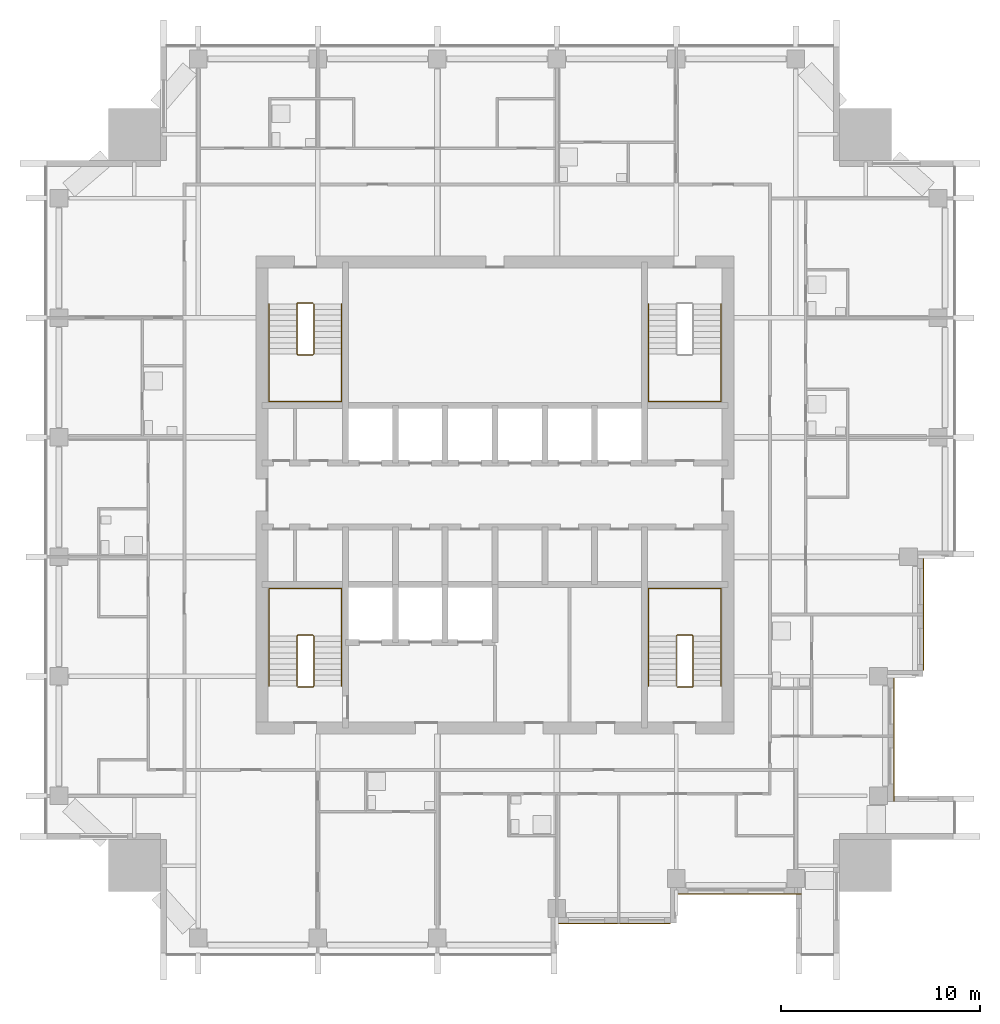
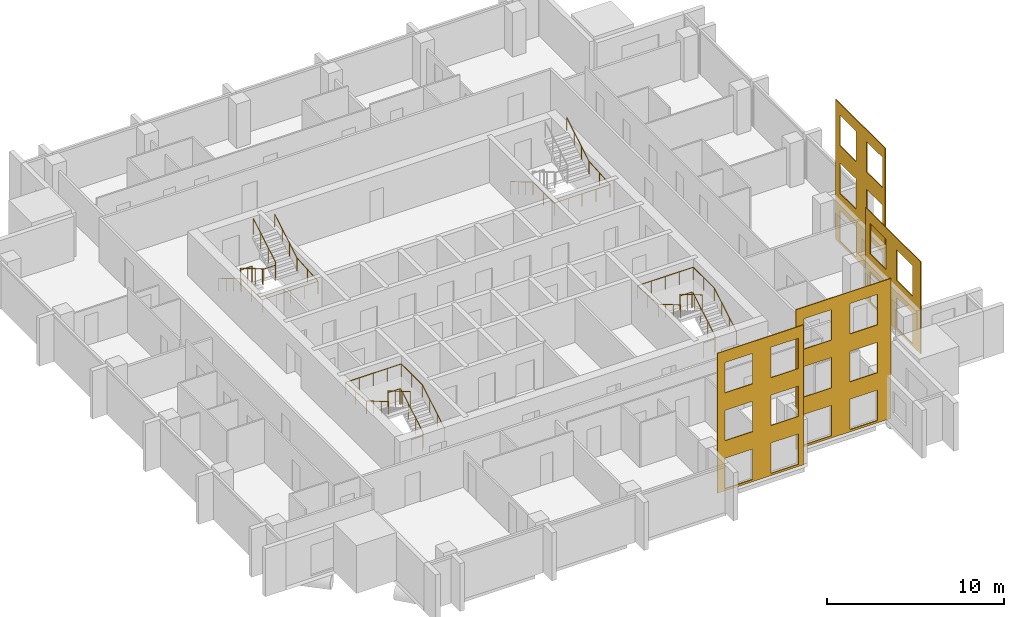
# One storey, part 10 of 12: 7 railings, 4 coverings.
"""IFC4 building model written with IfcOpenShell, lengths in metres."""

from ifc_helpers import new_model, si_unit, direction, frame, origin, origin_2d, place, context, subcontext, project, spatial, polyline, circle, outline, extrude, material, layer, layer_set, type_object, element, save


model = new_model("IFC4")

# Units and contexts
model_context = context("Model", 3, precision=1e-05, world=origin(), true_north=direction((0.0, 1.0)))
body_context = subcontext(model_context, "Body", "Model", "MODEL_VIEW")
ifc_project = project(units=[si_unit("LENGTHUNIT", "METRE"), si_unit("AREAUNIT", "SQUARE_METRE"), si_unit("VOLUMEUNIT", "CUBIC_METRE"), si_unit("PLANEANGLEUNIT", "RADIAN"), si_unit("MASSUNIT", "GRAM", prefix="KILO")], contexts=[model_context])

# Site, building, storey
site_placement = place(None, origin())
site = spatial("IfcSite", under=ifc_project, at=site_placement, CompositionType="ELEMENT")
building_placement = place(site_placement, origin())
building = spatial("IfcBuilding", under=site, at=building_placement, Name="Amberfall Residences", CompositionType="ELEMENT")
storey_placement = place(building_placement, frame((0.0, 0.0, 187.0)))
storey = spatial("IfcBuildingStorey", under=building, at=storey_placement, Name="L49", CompositionType="ELEMENT", Elevation=187.0)

# Coverings
ifc_material_1 = material(Name="Pale limestone cladding", Category="masonry")
ifc_layer = layer(ifc_material_1, 0.050048828125)
ifc_layer_set = layer_set([ifc_layer], Name="Limestone fascia 50")
covering_type = type_object("IfcCoveringType", Name="Limestone fascia 50", PredefinedType="CLADDING", material=ifc_layer_set)
covering_1_placement = place(storey_placement, frame((77.68994140625, 24.0, 9.64990234375), z_axis=(0.0, 1.0, 0.0), x_axis=(1.0, 0.0, 0.0)))
element("IfcCovering", 1, at=covering_1_placement, inside=storey, type_object=covering_type, Name="Pale limestone cladding L49-L51 S", PredefinedType="CLADDING", context=body_context, shape_type="SweptSolid", body=[
    extrude(outline(polyline([(0.0, 0.0), (5.610107421875, 0.0), (5.610107421875, 9.64990234375), (0.0, 9.64990234375), (0.0, 0.0)]), holes=[polyline([(0.510009765625, 7.39990234375), (2.31005859375, 7.39990234375), (2.31005859375, 9.5), (0.510009765625, 9.5), (0.510009765625, 7.39990234375)]), polyline([(3.510009765625, 7.39990234375), (5.31005859375, 7.39990234375), (5.31005859375, 9.5), (3.510009765625, 9.5), (3.510009765625, 7.39990234375)]), polyline([(0.510009765625, 4.099853515625), (2.31005859375, 4.099853515625), (2.31005859375, 6.199951171875), (0.510009765625, 6.199951171875), (0.510009765625, 4.099853515625)]), polyline([(3.510009765625, 4.099853515625), (5.31005859375, 4.099853515625), (5.31005859375, 6.199951171875), (3.510009765625, 6.199951171875), (3.510009765625, 4.099853515625)]), polyline([(0.510009765625, 0.7998046875), (2.31005859375, 0.7998046875), (2.31005859375, 2.89990234375), (0.510009765625, 2.89990234375), (0.510009765625, 0.7998046875)]), polyline([(3.510009765625, 0.7998046875), (5.31005859375, 0.7998046875), (5.31005859375, 2.89990234375), (3.510009765625, 2.89990234375), (3.510009765625, 0.7998046875)])]), origin(), (0.0, 0.0, -1.0), 0.050048828125),
])
covering_2_placement = place(storey_placement, frame((83.68994140625, 25.5, 9.64990234375), z_axis=(0.0, 1.0, 0.0), x_axis=(1.0, 0.0, 0.0)))
element("IfcCovering", 2, at=covering_2_placement, inside=storey, type_object=covering_type, Name="Pale limestone cladding L49-L51 S", PredefinedType="CLADDING", context=body_context, shape_type="SweptSolid", body=[
    extrude(outline(polyline([(0.0, 0.0), (6.2099609375, 0.0), (6.2099609375, 9.64990234375), (0.0, 9.64990234375), (0.0, 0.0)]), holes=[polyline([(0.510009765625, 7.39990234375), (2.31005859375, 7.39990234375), (2.31005859375, 9.5), (0.510009765625, 9.5), (0.510009765625, 7.39990234375)]), polyline([(3.510009765625, 7.39990234375), (5.31005859375, 7.39990234375), (5.31005859375, 9.5), (3.510009765625, 9.5), (3.510009765625, 7.39990234375)]), polyline([(0.510009765625, 4.099853515625), (2.31005859375, 4.099853515625), (2.31005859375, 6.199951171875), (0.510009765625, 6.199951171875), (0.510009765625, 4.099853515625)]), polyline([(3.510009765625, 4.099853515625), (5.31005859375, 4.099853515625), (5.31005859375, 6.199951171875), (3.510009765625, 6.199951171875), (3.510009765625, 4.099853515625)]), polyline([(0.510009765625, 0.7998046875), (2.31005859375, 0.7998046875), (2.31005859375, 2.89990234375), (0.510009765625, 2.89990234375), (0.510009765625, 0.7998046875)]), polyline([(3.510009765625, 0.7998046875), (5.31005859375, 0.7998046875), (5.31005859375, 2.89990234375), (3.510009765625, 2.89990234375), (3.510009765625, 0.7998046875)])]), origin(), (0.0, 0.0, -1.0), 0.050048828125),
])
covering_3_placement = place(storey_placement, frame((94.5, 30.10009765625, 6.35009765625), z_axis=(-1.0, 0.0, 0.0), x_axis=(0.0, 1.0, 0.0)))
element("IfcCovering", 3, at=covering_3_placement, inside=storey, type_object=covering_type, Name="Pale limestone cladding L49-L50 E", PredefinedType="CLADDING", context=body_context, shape_type="SweptSolid", body=[
    extrude(outline(polyline([(0.0, 0.0), (6.2099609375, 0.0), (6.2099609375, 6.35009765625), (0.0, 6.35009765625), (0.0, 0.0)]), holes=[polyline([(0.89990234375, 4.10009765625), (2.699951171875, 4.10009765625), (2.699951171875, 6.2001953125), (0.89990234375, 6.2001953125), (0.89990234375, 4.10009765625)]), polyline([(3.89990234375, 4.10009765625), (5.699951171875, 4.10009765625), (5.699951171875, 6.2001953125), (3.89990234375, 6.2001953125), (3.89990234375, 4.10009765625)]), polyline([(0.89990234375, 0.800048828125), (2.699951171875, 0.800048828125), (2.699951171875, 2.900146484375), (0.89990234375, 2.900146484375), (0.89990234375, 0.800048828125)]), polyline([(3.89990234375, 0.800048828125), (5.699951171875, 0.800048828125), (5.699951171875, 2.900146484375), (3.89990234375, 2.900146484375), (3.89990234375, 0.800048828125)])]), origin(), (0.0, 0.0, -1.0), 0.050048828125),
])
covering_4_placement = place(storey_placement, frame((96.0, 36.699951171875, 9.64990234375), z_axis=(-1.0, 0.0, 0.0), x_axis=(0.0, 1.0, 0.0)))
element("IfcCovering", 4, at=covering_4_placement, inside=storey, type_object=covering_type, Name="Pale limestone cladding L49-L51 E", PredefinedType="CLADDING", context=body_context, shape_type="SweptSolid", body=[
    extrude(outline(polyline([(0.0, 0.0), (5.610107421875, 0.0), (5.610107421875, 9.64990234375), (0.0, 9.64990234375), (0.0, 0.0)]), holes=[polyline([(0.300048828125, 7.39990234375), (2.10009765625, 7.39990234375), (2.10009765625, 9.5), (0.300048828125, 9.5), (0.300048828125, 7.39990234375)]), polyline([(3.300048828125, 7.39990234375), (5.10009765625, 7.39990234375), (5.10009765625, 9.5), (3.300048828125, 9.5), (3.300048828125, 7.39990234375)]), polyline([(0.300048828125, 4.099853515625), (2.10009765625, 4.099853515625), (2.10009765625, 6.199951171875), (0.300048828125, 6.199951171875), (0.300048828125, 4.099853515625)]), polyline([(3.300048828125, 4.099853515625), (5.10009765625, 4.099853515625), (5.10009765625, 6.199951171875), (3.300048828125, 6.199951171875), (3.300048828125, 4.099853515625)]), polyline([(0.300048828125, 0.7998046875), (2.10009765625, 0.7998046875), (2.10009765625, 2.89990234375), (0.300048828125, 2.89990234375), (0.300048828125, 0.7998046875)]), polyline([(3.300048828125, 0.7998046875), (5.10009765625, 0.7998046875), (5.10009765625, 2.89990234375), (3.300048828125, 2.89990234375), (3.300048828125, 0.7998046875)])]), origin(), (0.0, 0.0, -1.0), 0.050048828125),
])

# Railings
ifc_material_2 = material(Name="Stainless steel 316", Category="steel")
railing_type_1 = type_object("IfcRailingType", Name="Stair guard 1100", PredefinedType="GUARDRAIL", material=ifc_material_2)
railing_1_placement = place(storey_placement, frame((64.60009765625, 35.85009765625, 0.0)))
element("IfcRailing", 5, at=railing_1_placement, inside=storey, type_object=railing_type_1, Name="L49 stair 1 guard", PredefinedType="GUARDRAIL", context=body_context, shape_type="SweptSolid", body=[
    extrude(circle(Radius=0.02392578125, at=origin_2d()), frame((0.0, 0.0, 1.076171875), z_axis=(1.0, 0.0, 0.0), x_axis=(0.0, 1.0, 0.0)), (0.0, 0.0, 1.0), 0.75),
    extrude(circle(Radius=0.02392578125, at=origin_2d()), frame((0.75, 0.0, 1.076171875), z_axis=(0.27755538755, 0.27755538755, 0.919742362667), x_axis=(-0.707106781187, 0.707106781187, 0.0)), (0.0, 0.0, 1.0), 0.179443359375),
    extrude(circle(Radius=0.02392578125, at=origin_2d()), frame((0.7998046875, 0.0498046875, 1.2412109375), z_axis=(0.0, 0.861560626758, 0.507654692109), x_axis=(-1.0, 0.0, 0.0)), (0.0, 0.0, 1.0), 2.925048828125),
    extrude(circle(Radius=0.02392578125, at=origin_2d()), frame((0.7998046875, 2.56982421875, 2.72607421875), z_axis=(-0.705375805398, 0.708833529934, 0.0), x_axis=(-0.708833529934, -0.705375805398, 0.0)), (0.0, 0.0, 1.0), 0.070556640625),
    extrude(circle(Radius=0.02392578125, at=origin_2d()), frame((0.75, 2.619873046875, 2.72607421875), z_axis=(-1.0, 0.0, 0.0), x_axis=(0.0, -1.0, 0.0)), (0.0, 0.0, 1.0), 0.75),
    extrude(circle(Radius=0.02392578125, at=origin_2d()), frame((0.0, 2.619873046875, 2.72607421875), z_axis=(-0.278705021027, -0.278705021027, 0.919046801044), x_axis=(0.707106781187, -0.707106781187, 0.0)), (0.0, 0.0, 1.0), 0.1796875),
    extrude(circle(Radius=0.02392578125, at=origin_2d()), frame((-0.050048828125, 2.56982421875, 2.89111328125), z_axis=(0.0, -0.86152411907, 0.507716645641), x_axis=(1.0, 0.0, 0.0)), (0.0, 0.0, 1.0), 2.925048828125),
    extrude(circle(Radius=0.02099609375, at=origin_2d()), origin(), (0.0, 0.0, 1.0), 1.052001953125),
    extrude(circle(Radius=0.02099609375, at=origin_2d()), frame((0.75, 0.0, 0.0)), (0.0, 0.0, 1.0), 1.052001953125),
    extrude(circle(Radius=0.02099609375, at=origin_2d()), frame((0.7998046875, 0.0498046875, 0.1650390625)), (0.0, 0.0, 1.0), 1.052001953125),
    extrude(circle(Radius=0.02099609375, at=origin_2d()), frame((0.7998046875, 0.889892578125, 0.659912109375)), (0.0, 0.0, 1.0), 1.052001953125),
    extrude(circle(Radius=0.02099609375, at=origin_2d()), frame((0.7998046875, 1.729736328125, 1.155029296875)), (0.0, 0.0, 1.0), 1.052001953125),
    extrude(circle(Radius=0.02099609375, at=origin_2d()), frame((0.7998046875, 2.56982421875, 1.64990234375)), (0.0, 0.0, 1.0), 1.052001953125),
    extrude(circle(Radius=0.02099609375, at=origin_2d()), frame((0.75, 2.619873046875, 1.64990234375)), (0.0, 0.0, 1.0), 1.052001953125),
    extrude(circle(Radius=0.02099609375, at=origin_2d()), frame((0.0, 2.619873046875, 1.64990234375)), (0.0, 0.0, 1.0), 1.052001953125),
    extrude(circle(Radius=0.02099609375, at=origin_2d()), frame((-0.050048828125, 2.56982421875, 1.81494140625)), (0.0, 0.0, 1.0), 1.052001953125),
    extrude(circle(Radius=0.02099609375, at=origin_2d()), frame((-0.050048828125, 1.729736328125, 2.31005859375)), (0.0, 0.0, 1.0), 1.052001953125),
    extrude(circle(Radius=0.02099609375, at=origin_2d()), frame((-0.050048828125, 0.889892578125, 2.804931640625)), (0.0, 0.0, 1.0), 1.052001953125),
    extrude(circle(Radius=0.02099609375, at=origin_2d()), frame((-0.050048828125, 0.0498046875, 3.300048828125)), (0.0, 0.0, 1.0), 1.052001953125),
])
railing_2_placement = place(storey_placement, frame((83.64990234375, 35.85009765625, 0.0)))
element("IfcRailing", 6, at=railing_2_placement, inside=storey, type_object=railing_type_1, Name="L49 stair 2 guard", PredefinedType="GUARDRAIL", context=body_context, shape_type="SweptSolid", body=[
    extrude(circle(Radius=0.02392578125, at=origin_2d()), frame((0.0, 0.0, 1.076171875), z_axis=(1.0, 0.0, 0.0), x_axis=(0.0, 1.0, 0.0)), (0.0, 0.0, 1.0), 0.75),
    extrude(circle(Radius=0.02392578125, at=origin_2d()), frame((0.75, 0.0, 1.076171875), z_axis=(0.278810427259, 0.277450376394, 0.919394384522), x_axis=(-0.705375805398, 0.708833529934, 0.0)), (0.0, 0.0, 1.0), 0.179443359375),
    extrude(circle(Radius=0.02392578125, at=origin_2d()), frame((0.800048828125, 0.0498046875, 1.2412109375), z_axis=(0.0, 0.861560626758, 0.507654692109), x_axis=(-1.0, 0.0, 0.0)), (0.0, 0.0, 1.0), 2.925048828125),
    extrude(circle(Radius=0.02392578125, at=origin_2d()), frame((0.800048828125, 2.56982421875, 2.72607421875), z_axis=(-0.707106781187, 0.707106781187, 0.0), x_axis=(-0.707106781187, -0.707106781187, 0.0)), (0.0, 0.0, 1.0), 0.07080078125),
    extrude(circle(Radius=0.02392578125, at=origin_2d()), frame((0.75, 2.619873046875, 2.72607421875), z_axis=(-1.0, 0.0, 0.0), x_axis=(0.0, -1.0, 0.0)), (0.0, 0.0, 1.0), 0.75),
    extrude(circle(Radius=0.02392578125, at=origin_2d()), frame((0.0, 2.619873046875, 2.72607421875), z_axis=(-0.277450376394, -0.278810427259, 0.919394384522), x_axis=(0.708833529934, -0.705375805398, 0.0)), (0.0, 0.0, 1.0), 0.179443359375),
    extrude(circle(Radius=0.02392578125, at=origin_2d()), frame((-0.0498046875, 2.56982421875, 2.89111328125), z_axis=(0.0, -0.86152411907, 0.507716645641), x_axis=(1.0, 0.0, 0.0)), (0.0, 0.0, 1.0), 2.925048828125),
    extrude(circle(Radius=0.02099609375, at=origin_2d()), origin(), (0.0, 0.0, 1.0), 1.052001953125),
    extrude(circle(Radius=0.02099609375, at=origin_2d()), frame((0.75, 0.0, 0.0)), (0.0, 0.0, 1.0), 1.052001953125),
    extrude(circle(Radius=0.02099609375, at=origin_2d()), frame((0.800048828125, 0.0498046875, 0.1650390625)), (0.0, 0.0, 1.0), 1.052001953125),
    extrude(circle(Radius=0.02099609375, at=origin_2d()), frame((0.800048828125, 0.889892578125, 0.659912109375)), (0.0, 0.0, 1.0), 1.052001953125),
    extrude(circle(Radius=0.02099609375, at=origin_2d()), frame((0.800048828125, 1.729736328125, 1.155029296875)), (0.0, 0.0, 1.0), 1.052001953125),
    extrude(circle(Radius=0.02099609375, at=origin_2d()), frame((0.800048828125, 2.56982421875, 1.64990234375)), (0.0, 0.0, 1.0), 1.052001953125),
    extrude(circle(Radius=0.02099609375, at=origin_2d()), frame((0.75, 2.619873046875, 1.64990234375)), (0.0, 0.0, 1.0), 1.052001953125),
    extrude(circle(Radius=0.02099609375, at=origin_2d()), frame((0.0, 2.619873046875, 1.64990234375)), (0.0, 0.0, 1.0), 1.052001953125),
    extrude(circle(Radius=0.02099609375, at=origin_2d()), frame((-0.0498046875, 2.56982421875, 1.81494140625)), (0.0, 0.0, 1.0), 1.052001953125),
    extrude(circle(Radius=0.02099609375, at=origin_2d()), frame((-0.0498046875, 1.729736328125, 2.31005859375)), (0.0, 0.0, 1.0), 1.052001953125),
    extrude(circle(Radius=0.02099609375, at=origin_2d()), frame((-0.0498046875, 0.889892578125, 2.804931640625)), (0.0, 0.0, 1.0), 1.052001953125),
    extrude(circle(Radius=0.02099609375, at=origin_2d()), frame((-0.0498046875, 0.0498046875, 3.300048828125)), (0.0, 0.0, 1.0), 1.052001953125),
])
railing_3_placement = place(storey_placement, frame((65.35009765625, 55.14990234375, 0.0)))
element("IfcRailing", 7, at=railing_3_placement, inside=storey, type_object=railing_type_1, Name="L49 stair 4 guard", PredefinedType="GUARDRAIL", context=body_context, shape_type="SweptSolid", body=[
    extrude(circle(Radius=0.02392578125, at=origin_2d()), frame((0.0, 0.0, 1.076171875), z_axis=(-1.0, 0.0, 0.0), x_axis=(0.0, -1.0, 0.0)), (0.0, 0.0, 1.0), 0.75),
    extrude(circle(Radius=0.02392578125, at=origin_2d()), frame((-0.75, 0.0, 1.076171875), z_axis=(-0.278810427259, -0.277450376394, 0.919394384522), x_axis=(0.705375805398, -0.708833529934, 0.0)), (0.0, 0.0, 1.0), 0.179443359375),
    extrude(circle(Radius=0.02392578125, at=origin_2d()), frame((-0.800048828125, -0.0498046875, 1.2412109375), z_axis=(0.0, -0.861560626758, 0.507654692109), x_axis=(1.0, 0.0, 0.0)), (0.0, 0.0, 1.0), 2.925048828125),
    extrude(circle(Radius=0.02392578125, at=origin_2d()), frame((-0.800048828125, -2.56982421875, 2.72607421875), z_axis=(0.707106781187, -0.707106781187, 0.0), x_axis=(0.707106781187, 0.707106781187, 0.0)), (0.0, 0.0, 1.0), 0.07080078125),
    extrude(circle(Radius=0.02392578125, at=origin_2d()), frame((-0.75, -2.619873046875, 2.72607421875), z_axis=(1.0, 0.0, 0.0), x_axis=(0.0, 1.0, 0.0)), (0.0, 0.0, 1.0), 0.75),
    extrude(circle(Radius=0.02392578125, at=origin_2d()), frame((0.0, -2.619873046875, 2.72607421875), z_axis=(0.277450376394, 0.278810427259, 0.919394384522), x_axis=(-0.708833529934, 0.705375805398, 0.0)), (0.0, 0.0, 1.0), 0.179443359375),
    extrude(circle(Radius=0.02392578125, at=origin_2d()), frame((0.0498046875, -2.56982421875, 2.89111328125), z_axis=(0.0, 0.86152411907, 0.507716645641), x_axis=(-1.0, 0.0, 0.0)), (0.0, 0.0, 1.0), 2.925048828125),
    extrude(circle(Radius=0.02099609375, at=origin_2d()), origin(), (0.0, 0.0, 1.0), 1.052001953125),
    extrude(circle(Radius=0.02099609375, at=origin_2d()), frame((-0.75, 0.0, 0.0)), (0.0, 0.0, 1.0), 1.052001953125),
    extrude(circle(Radius=0.02099609375, at=origin_2d()), frame((-0.800048828125, -0.0498046875, 0.1650390625)), (0.0, 0.0, 1.0), 1.052001953125),
    extrude(circle(Radius=0.02099609375, at=origin_2d()), frame((-0.800048828125, -0.889892578125, 0.659912109375)), (0.0, 0.0, 1.0), 1.052001953125),
    extrude(circle(Radius=0.02099609375, at=origin_2d()), frame((-0.800048828125, -1.729736328125, 1.155029296875)), (0.0, 0.0, 1.0), 1.052001953125),
    extrude(circle(Radius=0.02099609375, at=origin_2d()), frame((-0.800048828125, -2.56982421875, 1.64990234375)), (0.0, 0.0, 1.0), 1.052001953125),
    extrude(circle(Radius=0.02099609375, at=origin_2d()), frame((-0.75, -2.619873046875, 1.64990234375)), (0.0, 0.0, 1.0), 1.052001953125),
    extrude(circle(Radius=0.02099609375, at=origin_2d()), frame((0.0, -2.619873046875, 1.64990234375)), (0.0, 0.0, 1.0), 1.052001953125),
    extrude(circle(Radius=0.02099609375, at=origin_2d()), frame((0.0498046875, -2.56982421875, 1.81494140625)), (0.0, 0.0, 1.0), 1.052001953125),
    extrude(circle(Radius=0.02099609375, at=origin_2d()), frame((0.0498046875, -1.729736328125, 2.31005859375)), (0.0, 0.0, 1.0), 1.052001953125),
    extrude(circle(Radius=0.02099609375, at=origin_2d()), frame((0.0498046875, -0.889892578125, 2.804931640625)), (0.0, 0.0, 1.0), 1.052001953125),
    extrude(circle(Radius=0.02099609375, at=origin_2d()), frame((0.0498046875, -0.0498046875, 3.300048828125)), (0.0, 0.0, 1.0), 1.052001953125),
])
railing_type_2 = type_object("IfcRailingType", Name="Stair handrail 900", PredefinedType="HANDRAIL", material=ifc_material_2)
railing_4_placement = place(storey_placement, frame((66.800048828125, 35.89990234375, 0.1650390625)))
element("IfcRailing", 8, at=railing_4_placement, inside=storey, type_object=railing_type_2, Name="L49 stair 1 handrail", PredefinedType="HANDRAIL", context=body_context, shape_type="SweptSolid", body=[
    extrude(circle(Radius=0.02392578125, at=origin_2d()), frame((0.0, 0.0, 0.8759765625), z_axis=(0.0, 0.861560626758, 0.507654692109), x_axis=(-1.0, 0.0, 0.0)), (0.0, 0.0, 1.0), 2.925048828125),
    extrude(circle(Radius=0.02392578125, at=origin_2d()), frame((0.0, 2.52001953125, 2.36083984375), z_axis=(0.0, 1.0, 0.0), x_axis=(-1.0, 0.0, 0.0)), (0.0, 0.0, 1.0), 2.380126953125),
    extrude(circle(Radius=0.02392578125, at=origin_2d()), frame((0.0, 4.900146484375, 2.36083984375), z_axis=(-1.0, 0.0, 0.0), x_axis=(0.0, -1.0, 0.0)), (0.0, 0.0, 1.0), 3.650146484375),
    extrude(circle(Radius=0.02392578125, at=origin_2d()), frame((-3.650146484375, 4.900146484375, 2.36083984375), z_axis=(0.0, -0.997604585917, 0.069174346095), x_axis=(1.0, 0.0, 0.0)), (0.0, 0.0, 1.0), 2.3857421875),
    extrude(circle(Radius=0.02392578125, at=origin_2d()), frame((-3.650146484375, 2.52001953125, 2.52587890625), z_axis=(0.0, -0.86152411907, 0.507716645641), x_axis=(1.0, 0.0, 0.0)), (0.0, 0.0, 1.0), 2.925048828125),
    extrude(circle(Radius=0.02099609375, at=origin_2d()), origin(), (0.0, 0.0, 1.0), 0.851806640625),
    extrude(circle(Radius=0.02099609375, at=origin_2d()), frame((0.0, 0.840087890625, 0.494873046875)), (0.0, 0.0, 1.0), 0.851806640625),
    extrude(circle(Radius=0.02099609375, at=origin_2d()), frame((0.0, 1.679931640625, 0.989990234375)), (0.0, 0.0, 1.0), 0.851806640625),
    extrude(circle(Radius=0.02099609375, at=origin_2d()), frame((0.0, 2.52001953125, 1.48486328125)), (0.0, 0.0, 1.0), 0.851806640625),
    extrude(circle(Radius=0.02099609375, at=origin_2d()), frame((0.0, 3.7099609375, 1.48486328125)), (0.0, 0.0, 1.0), 0.851806640625),
    extrude(circle(Radius=0.02099609375, at=origin_2d()), frame((0.0, 4.900146484375, 1.48486328125)), (0.0, 0.0, 1.0), 0.851806640625),
    extrude(circle(Radius=0.02099609375, at=origin_2d()), frame((-0.91259765625, 4.900146484375, 1.48486328125)), (0.0, 0.0, 1.0), 0.851806640625),
    extrude(circle(Radius=0.02099609375, at=origin_2d()), frame((-1.8251953125, 4.900146484375, 1.48486328125)), (0.0, 0.0, 1.0), 0.851806640625),
    extrude(circle(Radius=0.02099609375, at=origin_2d()), frame((-2.737548828125, 4.900146484375, 1.48486328125)), (0.0, 0.0, 1.0), 0.851806640625),
    extrude(circle(Radius=0.02099609375, at=origin_2d()), frame((-3.650146484375, 4.900146484375, 1.48486328125)), (0.0, 0.0, 1.0), 0.851806640625),
    extrude(circle(Radius=0.02099609375, at=origin_2d()), frame((-3.650146484375, 3.7099609375, 1.5673828125)), (0.0, 0.0, 1.0), 0.851806640625),
    extrude(circle(Radius=0.02099609375, at=origin_2d()), frame((-3.650146484375, 2.52001953125, 1.64990234375)), (0.0, 0.0, 1.0), 0.851806640625),
    extrude(circle(Radius=0.02099609375, at=origin_2d()), frame((-3.650146484375, 1.679931640625, 2.14501953125)), (0.0, 0.0, 1.0), 0.851806640625),
    extrude(circle(Radius=0.02099609375, at=origin_2d()), frame((-3.650146484375, 0.840087890625, 2.639892578125)), (0.0, 0.0, 1.0), 0.851806640625),
    extrude(circle(Radius=0.02099609375, at=origin_2d()), frame((-3.650146484375, 0.0, 3.135009765625)), (0.0, 0.0, 1.0), 0.851806640625),
])
railing_5_placement = place(storey_placement, frame((85.85009765625, 35.89990234375, 0.1650390625)))
element("IfcRailing", 9, at=railing_5_placement, inside=storey, type_object=railing_type_2, Name="L49 stair 2 handrail", PredefinedType="HANDRAIL", context=body_context, shape_type="SweptSolid", body=[
    extrude(circle(Radius=0.02392578125, at=origin_2d()), frame((0.0, 0.0, 0.8759765625), z_axis=(0.0, 0.861560626758, 0.507654692109), x_axis=(-1.0, 0.0, 0.0)), (0.0, 0.0, 1.0), 2.925048828125),
    extrude(circle(Radius=0.02392578125, at=origin_2d()), frame((0.0, 2.52001953125, 2.36083984375), z_axis=(0.0, 1.0, 0.0), x_axis=(-1.0, 0.0, 0.0)), (0.0, 0.0, 1.0), 2.380126953125),
    extrude(circle(Radius=0.02392578125, at=origin_2d()), frame((0.0, 4.900146484375, 2.36083984375), z_axis=(-1.0, 0.0, 0.0), x_axis=(0.0, -1.0, 0.0)), (0.0, 0.0, 1.0), 3.650146484375),
    extrude(circle(Radius=0.02392578125, at=origin_2d()), frame((-3.650146484375, 4.900146484375, 2.36083984375), z_axis=(0.0, -0.997604585917, 0.069174346095), x_axis=(1.0, 0.0, 0.0)), (0.0, 0.0, 1.0), 2.3857421875),
    extrude(circle(Radius=0.02392578125, at=origin_2d()), frame((-3.650146484375, 2.52001953125, 2.52587890625), z_axis=(0.0, -0.86152411907, 0.507716645641), x_axis=(1.0, 0.0, 0.0)), (0.0, 0.0, 1.0), 2.925048828125),
    extrude(circle(Radius=0.02099609375, at=origin_2d()), origin(), (0.0, 0.0, 1.0), 0.851806640625),
    extrude(circle(Radius=0.02099609375, at=origin_2d()), frame((0.0, 0.840087890625, 0.494873046875)), (0.0, 0.0, 1.0), 0.851806640625),
    extrude(circle(Radius=0.02099609375, at=origin_2d()), frame((0.0, 1.679931640625, 0.989990234375)), (0.0, 0.0, 1.0), 0.851806640625),
    extrude(circle(Radius=0.02099609375, at=origin_2d()), frame((0.0, 2.52001953125, 1.48486328125)), (0.0, 0.0, 1.0), 0.851806640625),
    extrude(circle(Radius=0.02099609375, at=origin_2d()), frame((0.0, 3.7099609375, 1.48486328125)), (0.0, 0.0, 1.0), 0.851806640625),
    extrude(circle(Radius=0.02099609375, at=origin_2d()), frame((0.0, 4.900146484375, 1.48486328125)), (0.0, 0.0, 1.0), 0.851806640625),
    extrude(circle(Radius=0.02099609375, at=origin_2d()), frame((-0.91259765625, 4.900146484375, 1.48486328125)), (0.0, 0.0, 1.0), 0.851806640625),
    extrude(circle(Radius=0.02099609375, at=origin_2d()), frame((-1.8251953125, 4.900146484375, 1.48486328125)), (0.0, 0.0, 1.0), 0.851806640625),
    extrude(circle(Radius=0.02099609375, at=origin_2d()), frame((-2.737548828125, 4.900146484375, 1.48486328125)), (0.0, 0.0, 1.0), 0.851806640625),
    extrude(circle(Radius=0.02099609375, at=origin_2d()), frame((-3.650146484375, 4.900146484375, 1.48486328125)), (0.0, 0.0, 1.0), 0.851806640625),
    extrude(circle(Radius=0.02099609375, at=origin_2d()), frame((-3.650146484375, 3.7099609375, 1.5673828125)), (0.0, 0.0, 1.0), 0.851806640625),
    extrude(circle(Radius=0.02099609375, at=origin_2d()), frame((-3.650146484375, 2.52001953125, 1.64990234375)), (0.0, 0.0, 1.0), 0.851806640625),
    extrude(circle(Radius=0.02099609375, at=origin_2d()), frame((-3.650146484375, 1.679931640625, 2.14501953125)), (0.0, 0.0, 1.0), 0.851806640625),
    extrude(circle(Radius=0.02099609375, at=origin_2d()), frame((-3.650146484375, 0.840087890625, 2.639892578125)), (0.0, 0.0, 1.0), 0.851806640625),
    extrude(circle(Radius=0.02099609375, at=origin_2d()), frame((-3.650146484375, 0.0, 3.135009765625)), (0.0, 0.0, 1.0), 0.851806640625),
])
railing_6_placement = place(storey_placement, frame((82.199951171875, 55.10009765625, 0.1650390625)))
element("IfcRailing", 10, at=railing_6_placement, inside=storey, type_object=railing_type_2, Name="L49 stair 3 handrail", PredefinedType="HANDRAIL", context=body_context, shape_type="SweptSolid", body=[
    extrude(circle(Radius=0.02392578125, at=origin_2d()), frame((0.0, 0.0, 0.8759765625), z_axis=(0.0, -0.861560626758, 0.507654692109), x_axis=(1.0, 0.0, 0.0)), (0.0, 0.0, 1.0), 2.925048828125),
    extrude(circle(Radius=0.02392578125, at=origin_2d()), frame((0.0, -2.52001953125, 2.36083984375), z_axis=(0.0, -1.0, 0.0), x_axis=(1.0, 0.0, 0.0)), (0.0, 0.0, 1.0), 2.380126953125),
    extrude(circle(Radius=0.02392578125, at=origin_2d()), frame((0.0, -4.900146484375, 2.36083984375), z_axis=(1.0, 0.0, 0.0), x_axis=(0.0, 1.0, 0.0)), (0.0, 0.0, 1.0), 3.650146484375),
    extrude(circle(Radius=0.02392578125, at=origin_2d()), frame((3.650146484375, -4.900146484375, 2.36083984375), z_axis=(0.0, 0.997604585917, 0.069174346095), x_axis=(-1.0, 0.0, 0.0)), (0.0, 0.0, 1.0), 2.3857421875),
    extrude(circle(Radius=0.02392578125, at=origin_2d()), frame((3.650146484375, -2.52001953125, 2.52587890625), z_axis=(0.0, 0.86152411907, 0.507716645641), x_axis=(-1.0, 0.0, 0.0)), (0.0, 0.0, 1.0), 2.925048828125),
    extrude(circle(Radius=0.02099609375, at=origin_2d()), origin(), (0.0, 0.0, 1.0), 0.851806640625),
    extrude(circle(Radius=0.02099609375, at=origin_2d()), frame((0.0, -0.840087890625, 0.494873046875)), (0.0, 0.0, 1.0), 0.851806640625),
    extrude(circle(Radius=0.02099609375, at=origin_2d()), frame((0.0, -1.679931640625, 0.989990234375)), (0.0, 0.0, 1.0), 0.851806640625),
    extrude(circle(Radius=0.02099609375, at=origin_2d()), frame((0.0, -2.52001953125, 1.48486328125)), (0.0, 0.0, 1.0), 0.851806640625),
    extrude(circle(Radius=0.02099609375, at=origin_2d()), frame((0.0, -3.7099609375, 1.48486328125)), (0.0, 0.0, 1.0), 0.851806640625),
    extrude(circle(Radius=0.02099609375, at=origin_2d()), frame((0.0, -4.900146484375, 1.48486328125)), (0.0, 0.0, 1.0), 0.851806640625),
    extrude(circle(Radius=0.02099609375, at=origin_2d()), frame((0.91259765625, -4.900146484375, 1.48486328125)), (0.0, 0.0, 1.0), 0.851806640625),
    extrude(circle(Radius=0.02099609375, at=origin_2d()), frame((1.8251953125, -4.900146484375, 1.48486328125)), (0.0, 0.0, 1.0), 0.851806640625),
    extrude(circle(Radius=0.02099609375, at=origin_2d()), frame((2.737548828125, -4.900146484375, 1.48486328125)), (0.0, 0.0, 1.0), 0.851806640625),
    extrude(circle(Radius=0.02099609375, at=origin_2d()), frame((3.650146484375, -4.900146484375, 1.48486328125)), (0.0, 0.0, 1.0), 0.851806640625),
    extrude(circle(Radius=0.02099609375, at=origin_2d()), frame((3.650146484375, -3.7099609375, 1.5673828125)), (0.0, 0.0, 1.0), 0.851806640625),
    extrude(circle(Radius=0.02099609375, at=origin_2d()), frame((3.650146484375, -2.52001953125, 1.64990234375)), (0.0, 0.0, 1.0), 0.851806640625),
    extrude(circle(Radius=0.02099609375, at=origin_2d()), frame((3.650146484375, -1.679931640625, 2.14501953125)), (0.0, 0.0, 1.0), 0.851806640625),
    extrude(circle(Radius=0.02099609375, at=origin_2d()), frame((3.650146484375, -0.840087890625, 2.639892578125)), (0.0, 0.0, 1.0), 0.851806640625),
    extrude(circle(Radius=0.02099609375, at=origin_2d()), frame((3.650146484375, 0.0, 3.135009765625)), (0.0, 0.0, 1.0), 0.851806640625),
])
railing_7_placement = place(storey_placement, frame((63.14990234375, 55.10009765625, 0.1650390625)))
element("IfcRailing", 11, at=railing_7_placement, inside=storey, type_object=railing_type_2, Name="L49 stair 4 handrail", PredefinedType="HANDRAIL", context=body_context, shape_type="SweptSolid", body=[
    extrude(circle(Radius=0.02392578125, at=origin_2d()), frame((0.0, 0.0, 0.8759765625), z_axis=(0.0, -0.861560626758, 0.507654692109), x_axis=(1.0, 0.0, 0.0)), (0.0, 0.0, 1.0), 2.925048828125),
    extrude(circle(Radius=0.02392578125, at=origin_2d()), frame((0.0, -2.52001953125, 2.36083984375), z_axis=(0.0, -1.0, 0.0), x_axis=(1.0, 0.0, 0.0)), (0.0, 0.0, 1.0), 2.380126953125),
    extrude(circle(Radius=0.02392578125, at=origin_2d()), frame((0.0, -4.900146484375, 2.36083984375), z_axis=(1.0, 0.0, 0.0), x_axis=(0.0, 1.0, 0.0)), (0.0, 0.0, 1.0), 3.650146484375),
    extrude(circle(Radius=0.02392578125, at=origin_2d()), frame((3.650146484375, -4.900146484375, 2.36083984375), z_axis=(0.0, 0.997604585917, 0.069174346095), x_axis=(-1.0, 0.0, 0.0)), (0.0, 0.0, 1.0), 2.3857421875),
    extrude(circle(Radius=0.02392578125, at=origin_2d()), frame((3.650146484375, -2.52001953125, 2.52587890625), z_axis=(0.0, 0.86152411907, 0.507716645641), x_axis=(-1.0, 0.0, 0.0)), (0.0, 0.0, 1.0), 2.925048828125),
    extrude(circle(Radius=0.02099609375, at=origin_2d()), origin(), (0.0, 0.0, 1.0), 0.851806640625),
    extrude(circle(Radius=0.02099609375, at=origin_2d()), frame((0.0, -0.840087890625, 0.494873046875)), (0.0, 0.0, 1.0), 0.851806640625),
    extrude(circle(Radius=0.02099609375, at=origin_2d()), frame((0.0, -1.679931640625, 0.989990234375)), (0.0, 0.0, 1.0), 0.851806640625),
    extrude(circle(Radius=0.02099609375, at=origin_2d()), frame((0.0, -2.52001953125, 1.48486328125)), (0.0, 0.0, 1.0), 0.851806640625),
    extrude(circle(Radius=0.02099609375, at=origin_2d()), frame((0.0, -3.7099609375, 1.48486328125)), (0.0, 0.0, 1.0), 0.851806640625),
    extrude(circle(Radius=0.02099609375, at=origin_2d()), frame((0.0, -4.900146484375, 1.48486328125)), (0.0, 0.0, 1.0), 0.851806640625),
    extrude(circle(Radius=0.02099609375, at=origin_2d()), frame((0.91259765625, -4.900146484375, 1.48486328125)), (0.0, 0.0, 1.0), 0.851806640625),
    extrude(circle(Radius=0.02099609375, at=origin_2d()), frame((1.8251953125, -4.900146484375, 1.48486328125)), (0.0, 0.0, 1.0), 0.851806640625),
    extrude(circle(Radius=0.02099609375, at=origin_2d()), frame((2.737548828125, -4.900146484375, 1.48486328125)), (0.0, 0.0, 1.0), 0.851806640625),
    extrude(circle(Radius=0.02099609375, at=origin_2d()), frame((3.650146484375, -4.900146484375, 1.48486328125)), (0.0, 0.0, 1.0), 0.851806640625),
    extrude(circle(Radius=0.02099609375, at=origin_2d()), frame((3.650146484375, -3.7099609375, 1.5673828125)), (0.0, 0.0, 1.0), 0.851806640625),
    extrude(circle(Radius=0.02099609375, at=origin_2d()), frame((3.650146484375, -2.52001953125, 1.64990234375)), (0.0, 0.0, 1.0), 0.851806640625),
    extrude(circle(Radius=0.02099609375, at=origin_2d()), frame((3.650146484375, -1.679931640625, 2.14501953125)), (0.0, 0.0, 1.0), 0.851806640625),
    extrude(circle(Radius=0.02099609375, at=origin_2d()), frame((3.650146484375, -0.840087890625, 2.639892578125)), (0.0, 0.0, 1.0), 0.851806640625),
    extrude(circle(Radius=0.02099609375, at=origin_2d()), frame((3.650146484375, 0.0, 3.135009765625)), (0.0, 0.0, 1.0), 0.851806640625),
])

save(model, "model.ifc")
